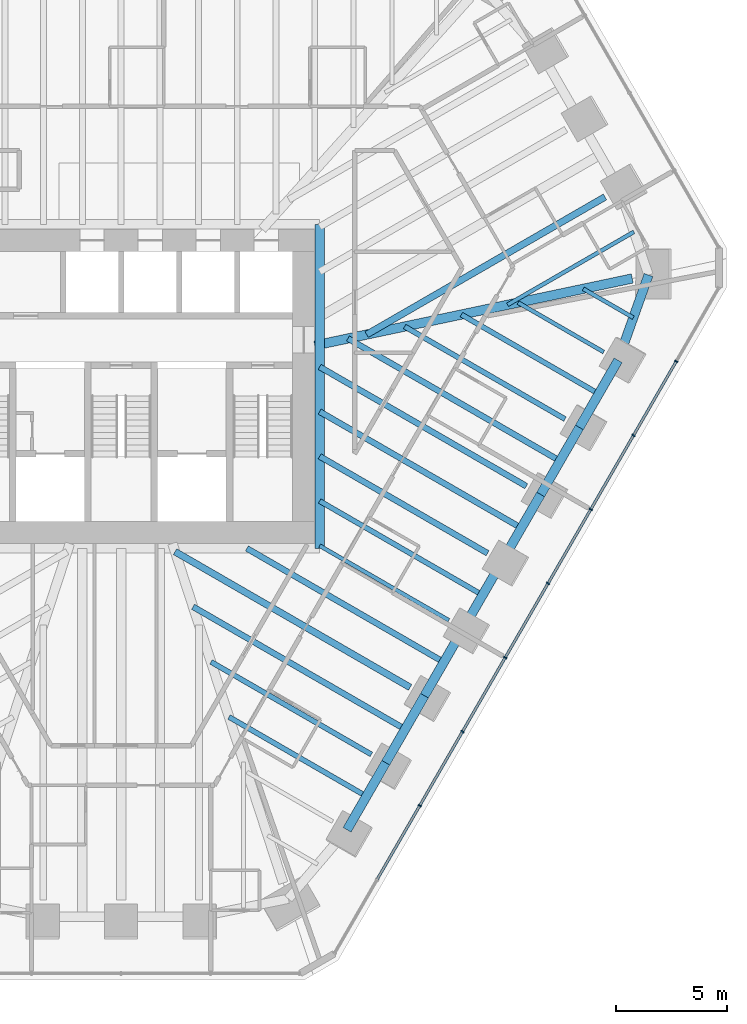
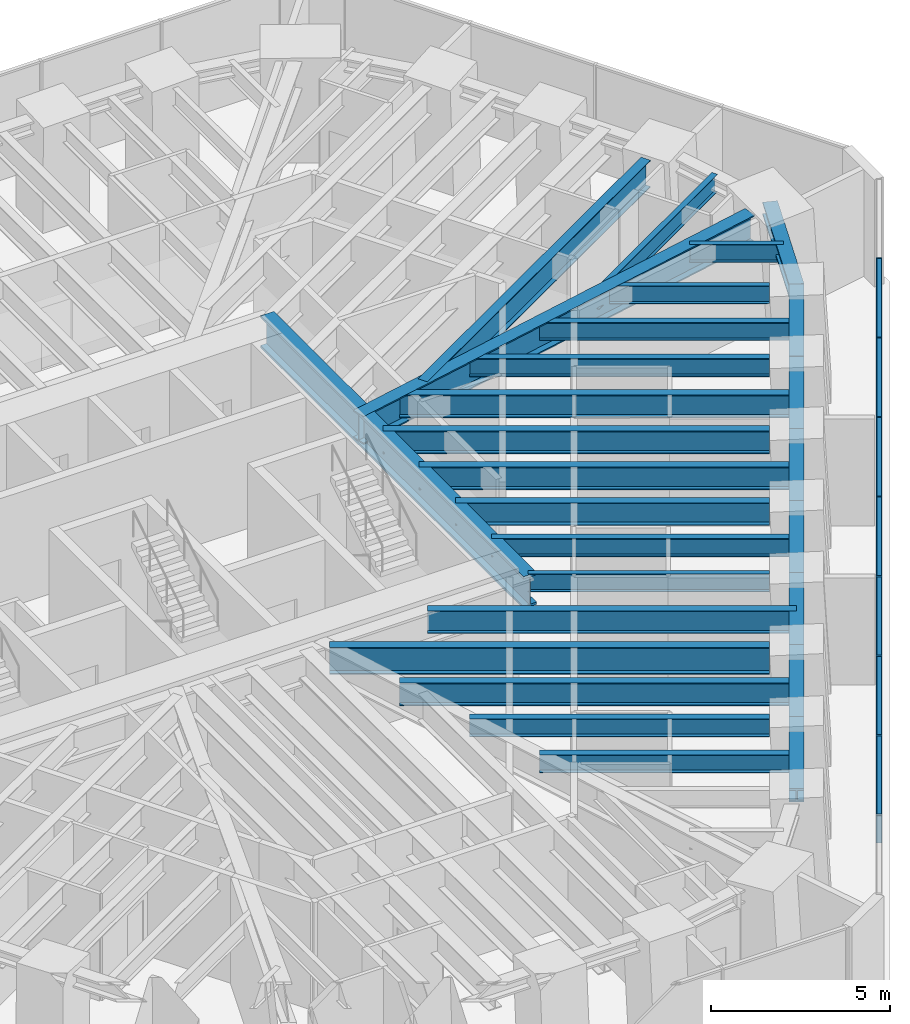
# One storey, part 5 of 16: 27 beams, 14 members, 1 element without a shape of its own.
"""IFC4 building model written with IfcOpenShell, lengths in metres."""

from ifc_helpers import new_model, si_unit, direction, frame, origin, origin_2d, place, context, subcontext, project, spatial, rectangle, i_section, extrude, material, material_profile, profile_set, type_object, element, aggregate, save


model = new_model("IFC4")

# Units and contexts
model_context = context("Model", 3, precision=1e-05, world=origin(), true_north=direction((0.0, 1.0)))
body_context = subcontext(model_context, "Body", "Model", "MODEL_VIEW")
ifc_project = project(units=[si_unit("LENGTHUNIT", "METRE"), si_unit("AREAUNIT", "SQUARE_METRE"), si_unit("VOLUMEUNIT", "CUBIC_METRE"), si_unit("PLANEANGLEUNIT", "RADIAN"), si_unit("MASSUNIT", "GRAM", prefix="KILO")], contexts=[model_context])

# Site, building, storey
site_placement = place(None, origin())
site = spatial("IfcSite", under=ifc_project, at=site_placement, CompositionType="ELEMENT")
building_placement = place(site_placement, origin())
building = spatial("IfcBuilding", under=site, at=building_placement, Name="Sandreach Pilgrim Tower", CompositionType="ELEMENT")
storey_placement = place(building_placement, frame((0.0, 0.0, 247.800048828125)))
storey = spatial("IfcBuildingStorey", under=building, at=storey_placement, Name="L62", CompositionType="ELEMENT", Elevation=247.800048828125)

# Beams
ifc_material_1 = material(Name="Steel ASTM A913 Grade 65", Category="steel")
ifc_material_profile_1 = material_profile(ifc_material_1, i_section(OverallWidth=0.419189453125, OverallDepth=0.45458984375, WebThickness=0.042236328125, FlangeThickness=0.067626953125, at=origin_2d()), Name="W14X370")
ifc_profile_set_1 = profile_set([ifc_material_profile_1], Name="Steel ASTM A913 Grade 65")
beam_type_1 = type_object("IfcBeamType", Name="Belt truss chord W14X370", PredefinedType="BEAM", material=ifc_profile_set_1)
beam_1_placement = place(storey_placement, frame((23.832275390625, 5.03173828125, 3.41259765625), z_axis=(-0.335584069729, -0.942010261167, 0.0), x_axis=(0.942010261167, -0.335584069729, 0.0)))
element("IfcBeam", 1, at=beam_1_placement, inside=storey, type_object=beam_type_1, Name="BM L62 BTB13", PredefinedType="BEAM", context=body_context, shape_type="SweptSolid", body=[
    extrude(i_section(OverallWidth=0.419189453125, OverallDepth=0.45458984375, WebThickness=0.042236328125, FlangeThickness=0.067626953125, at=origin_2d()), origin(), (0.0, 0.0, 1.0), 4.091552734375),
])
beam_2_placement = place(storey_placement, frame((22.459228515625, 1.177490234375, 3.41259765625), z_axis=(-0.499957956484, -0.866049676259, 0.0), x_axis=(0.866049676259, -0.499957956484, 0.0)))
element("IfcBeam", 2, at=beam_2_placement, inside=storey, type_object=beam_type_1, Name="BM L62 BTB14", PredefinedType="BEAM", context=body_context, shape_type="SweptSolid", body=[
    extrude(i_section(OverallWidth=0.419189453125, OverallDepth=0.45458984375, WebThickness=0.042236328125, FlangeThickness=0.067626953125, at=origin_2d()), origin(), (0.0, 0.0, 1.0), 3.499755859375),
])
beam_3_placement = place(storey_placement, frame((20.70947265625, -1.853515625, 3.41259765625), z_axis=(-0.500010275428, -0.866019471182, 0.0), x_axis=(0.866019471182, -0.500010275428, 0.0)))
element("IfcBeam", 3, at=beam_3_placement, inside=storey, type_object=beam_type_1, Name="BM L62 BTB15", PredefinedType="BEAM", context=body_context, shape_type="SweptSolid", body=[
    extrude(i_section(OverallWidth=0.419189453125, OverallDepth=0.45458984375, WebThickness=0.042236328125, FlangeThickness=0.067626953125, at=origin_2d()), origin(), (0.0, 0.0, 1.0), 3.5),
])
for number, where, z_axis, x_axis, name in (
    (4, (18.95947265625, -4.884521484375, 3.41259765625), (-0.500040482552, -0.866002029911, 0.0), (0.866002029911, -0.500040482552, 0.0), "BM L62 BTB16"),
    (5, (17.20947265625, -7.915283203125, 3.41259765625), (-0.499957956484, -0.866049676259, 0.0), (0.866049676259, -0.499957956484, 0.0), "BM L62 BTB17"),
    (6, (15.459716796875, -10.9462890625, 3.41259765625), (-0.500040482552, -0.866002029911, 0.0), (0.866002029911, -0.500040482552, 0.0), "BM L62 BTB18"),
    (7, (13.709716796875, -13.97705078125, 3.41259765625), (-0.499957956484, -0.866049676259, 0.0), (0.866049676259, -0.499957956484, 0.0), "BM L62 BTB19"),
):
    element("IfcBeam", number, at=place(storey_placement, frame(where, z_axis=z_axis, x_axis=x_axis)), inside=storey, type_object=beam_type_1, Name=name, PredefinedType="BEAM", context=body_context, shape_type="SweptSolid", body=[
        extrude(i_section(OverallWidth=0.419189453125, OverallDepth=0.45458984375, WebThickness=0.042236328125, FlangeThickness=0.067626953125, at=origin_2d()), origin(), (0.0, 0.0, 1.0), 3.499755859375),
    ])
beam_4_placement = place(storey_placement, frame((11.9599609375, -17.008056640625, 3.41259765625), z_axis=(-0.500010275428, -0.866019471182, 0.0), x_axis=(0.866019471182, -0.500010275428, 0.0)))
element("IfcBeam", 8, at=beam_4_placement, inside=storey, type_object=beam_type_1, Name="BM L62 BTB20", PredefinedType="BEAM", context=body_context, shape_type="SweptSolid", body=[
    extrude(i_section(OverallWidth=0.419189453125, OverallDepth=0.45458984375, WebThickness=0.042236328125, FlangeThickness=0.067626953125, at=origin_2d()), origin(), (0.0, 0.0, 1.0), 3.5),
])

# Curtain wall, members
ifc_material_2 = material(Name="Aluminium framed curtain wall", Category="aluminium")
curtain_wall_type = type_object("IfcCurtainWallType", Name="Upper hotel tower curtain wall", PredefinedType="NOTDEFINED", material=ifc_material_2)
curtain_wall_placement = place(storey_placement, origin())
curtain_wall = element("IfcCurtainWall", 9, at=curtain_wall_placement, inside=storey, type_object=curtain_wall_type, Name="CW-3 L62 SE", PredefinedType="NOTDEFINED")
ifc_material_3 = material(Name="Aluminium extrusion", Category="aluminium")
ifc_material_profile_2 = material_profile(ifc_material_3, rectangle(XDim=0.06494140625, YDim=0.159912109375, at=origin_2d()), Name="CW-3M 65X160")
ifc_profile_set_2 = profile_set([ifc_material_profile_2], Name="Aluminium extrusion")
member_type_1 = type_object("IfcMemberType", Name="CW-3 mullion", PredefinedType="MULLION", material=ifc_profile_set_2)
member_1_placement = place(storey_placement, frame((25.087890625, 1.13330078125, 0.0), z_axis=(0.0, 0.0, 1.0), x_axis=(-0.5, -0.866025403784, 0.0)))
member_1 = element("IfcMember", 10, at=member_1_placement, type_object=member_type_1, Name="CW-3 mullion 2", PredefinedType="MULLION", context=body_context, shape_type="SweptSolid", body=[
    extrude(rectangle(XDim=0.06494140625, YDim=0.159912109375, at=origin_2d()), origin(), (0.0, 0.0, 1.0), 3.639892578125),
])
member_2_placement = place(storey_placement, frame((23.15576171875, -2.21337890625, 0.0), z_axis=(0.0, 0.0, 1.0), x_axis=(-0.5, -0.866025403784, 0.0)))
member_2 = element("IfcMember", 11, at=member_2_placement, type_object=member_type_1, Name="CW-3 mullion 3", PredefinedType="MULLION", context=body_context, shape_type="SweptSolid", body=[
    extrude(rectangle(XDim=0.06494140625, YDim=0.159912109375, at=origin_2d()), origin(), (0.0, 0.0, 1.0), 3.639892578125),
])
member_3_placement = place(storey_placement, frame((21.223388671875, -5.56005859375, 0.0), z_axis=(0.0, 0.0, 1.0), x_axis=(-0.5, -0.866025403784, 0.0)))
member_3 = element("IfcMember", 12, at=member_3_placement, type_object=member_type_1, Name="CW-3 mullion 4", PredefinedType="MULLION", context=body_context, shape_type="SweptSolid", body=[
    extrude(rectangle(XDim=0.06494140625, YDim=0.159912109375, at=origin_2d()), origin(), (0.0, 0.0, 1.0), 3.639892578125),
])
member_4_placement = place(storey_placement, frame((19.291259765625, -8.90673828125, 0.0), z_axis=(0.0, 0.0, 1.0), x_axis=(-0.5, -0.866025403784, 0.0)))
member_4 = element("IfcMember", 13, at=member_4_placement, type_object=member_type_1, Name="CW-3 mullion 5", PredefinedType="MULLION", context=body_context, shape_type="SweptSolid", body=[
    extrude(rectangle(XDim=0.06494140625, YDim=0.159912109375, at=origin_2d()), origin(), (0.0, 0.0, 1.0), 3.639892578125),
])
member_5_placement = place(storey_placement, frame((17.359130859375, -12.25341796875, 0.0), z_axis=(0.0, 0.0, 1.0), x_axis=(-0.5, -0.866025403784, 0.0)))
member_5 = element("IfcMember", 14, at=member_5_placement, type_object=member_type_1, Name="CW-3 mullion 6", PredefinedType="MULLION", context=body_context, shape_type="SweptSolid", body=[
    extrude(rectangle(XDim=0.06494140625, YDim=0.159912109375, at=origin_2d()), origin(), (0.0, 0.0, 1.0), 3.639892578125),
])
member_6_placement = place(storey_placement, frame((15.4267578125, -15.60009765625, 0.0), z_axis=(0.0, 0.0, 1.0), x_axis=(-0.5, -0.866025403784, 0.0)))
member_6 = element("IfcMember", 15, at=member_6_placement, type_object=member_type_1, Name="CW-3 mullion 7", PredefinedType="MULLION", context=body_context, shape_type="SweptSolid", body=[
    extrude(rectangle(XDim=0.06494140625, YDim=0.159912109375, at=origin_2d()), origin(), (0.0, 0.0, 1.0), 3.639892578125),
])
member_7_placement = place(storey_placement, frame((13.49462890625, -18.94677734375, 0.0), z_axis=(0.0, 0.0, 1.0), x_axis=(-0.5, -0.866025403784, 0.0)))
member_7 = element("IfcMember", 16, at=member_7_placement, type_object=member_type_1, Name="CW-3 mullion 8", PredefinedType="MULLION", context=body_context, shape_type="SweptSolid", body=[
    extrude(rectangle(XDim=0.06494140625, YDim=0.159912109375, at=origin_2d()), origin(), (0.0, 0.0, 1.0), 3.639892578125),
])
ifc_material_4 = material(Name="Aluminium extrusion", Category="aluminium")
ifc_material_profile_3 = material_profile(ifc_material_4, rectangle(XDim=0.1201171875, YDim=0.070068359375, at=origin_2d()), Name="CW-3T 120X70")
ifc_profile_set_3 = profile_set([ifc_material_profile_3], Name="Aluminium extrusion")
member_type_2 = type_object("IfcMemberType", Name="CW-3 transom", PredefinedType="USERDEFINED", material=ifc_profile_set_3)
member_8_placement = place(storey_placement, frame((25.07177734375, 1.105224609375, 3.60498046875), z_axis=(-0.500022797313, -0.86601224135, 0.0), x_axis=(0.86601224135, -0.500022797313, 0.0)))
member_8 = element("IfcMember", 17, at=member_8_placement, type_object=member_type_2, Name="CW-3 head transom 2", ObjectType="TRANSOM", PredefinedType="USERDEFINED", context=body_context, shape_type="SweptSolid", body=[
    extrude(rectangle(XDim=0.1201171875, YDim=0.070068359375, at=origin_2d()), origin(), (0.0, 0.0, 1.0), 3.799560546875),
])
member_9_placement = place(storey_placement, frame((23.139404296875, -2.241455078125, 3.60498046875), z_axis=(-0.499974606132, -0.866040064445, 0.0), x_axis=(0.866040064445, -0.499974606132, 0.0)))
member_9 = element("IfcMember", 18, at=member_9_placement, type_object=member_type_2, Name="CW-3 head transom 3", ObjectType="TRANSOM", PredefinedType="USERDEFINED", context=body_context, shape_type="SweptSolid", body=[
    extrude(rectangle(XDim=0.1201171875, YDim=0.070068359375, at=origin_2d()), origin(), (0.0, 0.0, 1.0), 3.799560546875),
])
member_10_placement = place(storey_placement, frame((21.207275390625, -5.588134765625, 3.60498046875), z_axis=(-0.499974606132, -0.866040064445, 0.0), x_axis=(0.866040064445, -0.499974606132, 0.0)))
member_10 = element("IfcMember", 19, at=member_10_placement, type_object=member_type_2, Name="CW-3 head transom 4", ObjectType="TRANSOM", PredefinedType="USERDEFINED", context=body_context, shape_type="SweptSolid", body=[
    extrude(rectangle(XDim=0.1201171875, YDim=0.070068359375, at=origin_2d()), origin(), (0.0, 0.0, 1.0), 3.799560546875),
])
member_11_placement = place(storey_placement, frame((19.275146484375, -8.934814453125, 3.60498046875), z_axis=(-0.500022797313, -0.86601224135, 0.0), x_axis=(0.86601224135, -0.500022797313, 0.0)))
member_11 = element("IfcMember", 20, at=member_11_placement, type_object=member_type_2, Name="CW-3 head transom 5", ObjectType="TRANSOM", PredefinedType="USERDEFINED", context=body_context, shape_type="SweptSolid", body=[
    extrude(rectangle(XDim=0.1201171875, YDim=0.070068359375, at=origin_2d()), origin(), (0.0, 0.0, 1.0), 3.799560546875),
])
member_12_placement = place(storey_placement, frame((17.3427734375, -12.281494140625, 3.60498046875), z_axis=(-0.499974606132, -0.866040064445, 0.0), x_axis=(0.866040064445, -0.499974606132, 0.0)))
member_12 = element("IfcMember", 21, at=member_12_placement, type_object=member_type_2, Name="CW-3 head transom 6", ObjectType="TRANSOM", PredefinedType="USERDEFINED", context=body_context, shape_type="SweptSolid", body=[
    extrude(rectangle(XDim=0.1201171875, YDim=0.070068359375, at=origin_2d()), origin(), (0.0, 0.0, 1.0), 3.799560546875),
])
member_13_placement = place(storey_placement, frame((15.41064453125, -15.628173828125, 3.60498046875), z_axis=(-0.499974606132, -0.866040064445, 0.0), x_axis=(0.866040064445, -0.499974606132, 0.0)))
member_13 = element("IfcMember", 22, at=member_13_placement, type_object=member_type_2, Name="CW-3 head transom 7", ObjectType="TRANSOM", PredefinedType="USERDEFINED", context=body_context, shape_type="SweptSolid", body=[
    extrude(rectangle(XDim=0.1201171875, YDim=0.070068359375, at=origin_2d()), origin(), (0.0, 0.0, 1.0), 3.799560546875),
])
member_14_placement = place(storey_placement, frame((13.478515625, -18.974853515625, 3.60498046875), z_axis=(-0.500022797313, -0.86601224135, 0.0), x_axis=(0.86601224135, -0.500022797313, 0.0)))
member_14 = element("IfcMember", 23, at=member_14_placement, type_object=member_type_2, Name="CW-3 head transom 8", ObjectType="TRANSOM", PredefinedType="USERDEFINED", context=body_context, shape_type="SweptSolid", body=[
    extrude(rectangle(XDim=0.1201171875, YDim=0.070068359375, at=origin_2d()), origin(), (0.0, 0.0, 1.0), 3.799560546875),
])
aggregate(curtain_wall, [member_1, member_2, member_3, member_4, member_5, member_6, member_7, member_8, member_9, member_10, member_11, member_12, member_13, member_14])

# Beams
ifc_material_5 = material(Name="Steel ASTM A992 Grade 50", Category="steel")
ifc_material_profile_4 = material_profile(ifc_material_5, i_section(OverallWidth=0.424072265625, OverallDepth=1.09228515625, WebThickness=0.04541015625, FlangeThickness=0.08203125, at=origin_2d()), Name="W40X593")
ifc_profile_set_4 = profile_set([ifc_material_profile_4], Name="Steel ASTM A992 Grade 50")
beam_type_2 = type_object("IfcBeamType", Name="Core edge beam W40X593", PredefinedType="BEAM", material=ifc_profile_set_4)
beam_5_placement = place(storey_placement, frame((8.97216796875, 7.322021484375, 3.09375), z_axis=(0.0, -1.0, 0.0), x_axis=(1.0, 0.0, 0.0)))
element("IfcBeam", 24, at=beam_5_placement, inside=storey, type_object=beam_type_2, Name="BM L62 CEE", PredefinedType="BEAM", context=body_context, shape_type="SweptSolid", body=[
    extrude(i_section(OverallWidth=0.424072265625, OverallDepth=1.09228515625, WebThickness=0.04541015625, FlangeThickness=0.08203125, at=origin_2d()), origin(), (0.0, 0.0, 1.0), 14.64404296875),
])
ifc_material_6 = material(Name="Steel ASTM A992 Grade 50", Category="steel")
ifc_material_profile_5 = material_profile(ifc_material_6, i_section(OverallWidth=0.424072265625, OverallDepth=0.947509765625, WebThickness=0.02392578125, FlangeThickness=0.042724609375, at=origin_2d()), Name="W36X302")
ifc_profile_set_5 = profile_set([ifc_material_profile_5], Name="Steel ASTM A992 Grade 50")
beam_type_3 = type_object("IfcBeamType", Name="Corner girder W36X302", PredefinedType="BEAM", material=ifc_profile_set_5)
beam_6_placement = place(storey_placement, frame((23.098388671875, 4.876708984375, 3.166259765625), z_axis=(-0.978431629776, -0.206570922092, 0.0), x_axis=(0.206570922092, -0.978431629776, 0.0)))
element("IfcBeam", 25, at=beam_6_placement, inside=storey, type_object=beam_type_3, Name="BM L62 CG13", PredefinedType="BEAM", context=body_context, shape_type="SweptSolid", body=[
    extrude(i_section(OverallWidth=0.424072265625, OverallDepth=0.947509765625, WebThickness=0.02392578125, FlangeThickness=0.042724609375, at=origin_2d()), origin(), (0.0, 0.0, 1.0), 14.664794921875),
])
ifc_material_7 = material(Name="Steel ASTM A992 Grade 50", Category="steel")
ifc_material_profile_6 = material_profile(ifc_material_7, i_section(OverallWidth=0.1787109375, OverallDepth=0.60205078125, WebThickness=0.010986328125, FlangeThickness=0.014892578125, at=origin_2d()), Name="W24X62")
ifc_profile_set_6 = profile_set([ifc_material_profile_6], Name="Steel ASTM A992 Grade 50")
beam_type_4 = type_object("IfcBeamType", Name="Floor beam W24X62", PredefinedType="BEAM", material=ifc_profile_set_6)
beam_7_placement = place(storey_placement, frame((21.809814453125, 1.552490234375, 3.3388671875), z_axis=(-0.866050074364, 0.499957266868, 0.0), x_axis=(-0.499957266868, -0.866050074364, 0.0)))
element("IfcBeam", 26, at=beam_7_placement, inside=storey, type_object=beam_type_4, Name="BM L62 F14", PredefinedType="BEAM", context=body_context, shape_type="SweptSolid", body=[
    extrude(i_section(OverallWidth=0.1787109375, OverallDepth=0.60205078125, WebThickness=0.010986328125, FlangeThickness=0.014892578125, at=origin_2d()), origin(), (0.0, 0.0, 1.0), 4.47021484375),
])
beam_8_placement = place(storey_placement, frame((14.81005859375, -10.5712890625, 3.3388671875), z_axis=(-0.866019125066, 0.500010874902, 0.0), x_axis=(-0.500010874902, -0.866019125066, 0.0)))
element("IfcBeam", 27, at=beam_8_placement, inside=storey, type_object=beam_type_4, Name="BM L62 F18", PredefinedType="BEAM", context=body_context, shape_type="SweptSolid", body=[
    extrude(i_section(OverallWidth=0.1787109375, OverallDepth=0.60205078125, WebThickness=0.010986328125, FlangeThickness=0.014892578125, at=origin_2d()), origin(), (0.0, 0.0, 1.0), 6.740966796875),
])
beam_9_placement = place(storey_placement, frame((23.174072265625, 6.983642578125, 3.3388671875), z_axis=(-0.866021534058, -0.500006702503, 0.0), x_axis=(0.500006702503, -0.866021534058, 0.0)))
element("IfcBeam", 28, at=beam_9_placement, inside=storey, type_object=beam_type_4, Name="BM L62 FM12", PredefinedType="BEAM", context=body_context, shape_type="SweptSolid", body=[
    extrude(i_section(OverallWidth=0.1787109375, OverallDepth=0.60205078125, WebThickness=0.010986328125, FlangeThickness=0.014892578125, at=origin_2d()), origin(), (0.0, 0.0, 1.0), 6.59228515625),
])
beam_10_placement = place(storey_placement, frame((23.145751953125, 3.1044921875, 3.3388671875), z_axis=(-0.866012692104, 0.500022016631, 0.0), x_axis=(-0.500022016631, -0.866012692104, 0.0)))
element("IfcBeam", 29, at=beam_10_placement, inside=storey, type_object=beam_type_4, Name="BM L62 FM13", PredefinedType="BEAM", context=body_context, shape_type="SweptSolid", body=[
    extrude(i_section(OverallWidth=0.1787109375, OverallDepth=0.60205078125, WebThickness=0.010986328125, FlangeThickness=0.014892578125, at=origin_2d()), origin(), (0.0, 0.0, 1.0), 2.6103515625),
])
ifc_material_8 = material(Name="Steel ASTM A992 Grade 50", Category="steel")
ifc_material_profile_7 = material_profile(ifc_material_8, i_section(OverallWidth=0.23046875, OverallDepth=0.6171875, WebThickness=0.01318359375, FlangeThickness=0.022216796875, at=origin_2d()), Name="W24X94")
ifc_profile_set_7 = profile_set([ifc_material_profile_7], Name="Steel ASTM A992 Grade 50")
beam_type_5 = type_object("IfcBeamType", Name="Floor beam W24X94", PredefinedType="BEAM", material=ifc_profile_set_7)
for number, where, z_axis, x_axis, name in (
    (30, (20.059814453125, -1.478515625, 3.331298828125), (-0.866024275449, 0.500001954328, 0.0), (-0.500001954328, -0.866024275449, 0.0), "BM L62 F15"),
    (31, (11.310302734375, -16.633056640625, 3.331298828125), (-0.866024275449, 0.500001954328, 0.0), (-0.500001954328, -0.866024275449, 0.0), "BM L62 F20"),
):
    element("IfcBeam", number, at=place(storey_placement, frame(where, z_axis=z_axis, x_axis=x_axis)), inside=storey, type_object=beam_type_5, Name=name, PredefinedType="BEAM", context=body_context, shape_type="SweptSolid", body=[
        extrude(i_section(OverallWidth=0.23046875, OverallDepth=0.6171875, WebThickness=0.01318359375, FlangeThickness=0.022216796875, at=origin_2d()), origin(), (0.0, 0.0, 1.0), 8.36767578125),
    ])
beam_11_placement = place(storey_placement, frame((21.584228515625, -0.338134765625, 3.331298828125), z_axis=(-0.866017145387, 0.500014303691, 0.0), x_axis=(-0.500014303691, -0.866017145387, 0.0)))
element("IfcBeam", 32, at=beam_11_placement, inside=storey, type_object=beam_type_5, Name="BM L62 FM14", PredefinedType="BEAM", context=body_context, shape_type="SweptSolid", body=[
    extrude(i_section(OverallWidth=0.23046875, OverallDepth=0.6171875, WebThickness=0.01318359375, FlangeThickness=0.022216796875, at=origin_2d()), origin(), (0.0, 0.0, 1.0), 7.168701171875),
])
beam_12_placement = place(storey_placement, frame((16.334716796875, -9.430908203125, 3.331298828125), z_axis=(-0.86601485975, 0.500018262359, 0.0), x_axis=(-0.500018262359, -0.86601485975, 0.0)))
element("IfcBeam", 33, at=beam_12_placement, inside=storey, type_object=beam_type_5, Name="BM L62 FM17", PredefinedType="BEAM", context=body_context, shape_type="SweptSolid", body=[
    extrude(i_section(OverallWidth=0.23046875, OverallDepth=0.6171875, WebThickness=0.01318359375, FlangeThickness=0.022216796875, at=origin_2d()), origin(), (0.0, 0.0, 1.0), 8.501708984375),
])
beam_13_placement = place(storey_placement, frame((11.0849609375, -18.5234375, 3.331298828125), z_axis=(-0.8660404058, 0.499974014847, 0.0), x_axis=(-0.499974014847, -0.8660404058, 0.0)))
element("IfcBeam", 34, at=beam_13_placement, inside=storey, type_object=beam_type_5, Name="BM L62 FM20", PredefinedType="BEAM", context=body_context, shape_type="SweptSolid", body=[
    extrude(i_section(OverallWidth=0.23046875, OverallDepth=0.6171875, WebThickness=0.01318359375, FlangeThickness=0.022216796875, at=origin_2d()), origin(), (0.0, 0.0, 1.0), 7.1689453125),
])
ifc_material_9 = material(Name="Steel ASTM A992 Grade 50", Category="steel")
ifc_material_profile_8 = material_profile(ifc_material_9, i_section(OverallWidth=0.2666015625, OverallDepth=0.761962890625, WebThickness=0.014404296875, FlangeThickness=0.021484375, at=origin_2d()), Name="W30X116")
ifc_profile_set_8 = profile_set([ifc_material_profile_8], Name="Steel ASTM A992 Grade 50")
beam_type_6 = type_object("IfcBeamType", Name="Floor beam W30X116", PredefinedType="BEAM", material=ifc_profile_set_8)
beam_14_placement = place(storey_placement, frame((16.56005859375, -7.540283203125, 3.259033203125), z_axis=(-0.866025963225, 0.49999903102, 0.0), x_axis=(-0.49999903102, -0.866025963225, 0.0)))
element("IfcBeam", 35, at=beam_14_placement, inside=storey, type_object=beam_type_6, Name="BM L62 F17", PredefinedType="BEAM", context=body_context, shape_type="SweptSolid", body=[
    extrude(i_section(OverallWidth=0.2666015625, OverallDepth=0.761962890625, WebThickness=0.014404296875, FlangeThickness=0.021484375, at=origin_2d()), origin(), (0.0, 0.0, 1.0), 8.76171875),
])
beam_15_placement = place(storey_placement, frame((14.584716796875, -12.461669921875, 3.259033203125), z_axis=(-0.866024610502, 0.500001374003, 0.0), x_axis=(-0.500001374003, -0.866024610502, 0.0)))
element("IfcBeam", 36, at=beam_15_placement, inside=storey, type_object=beam_type_6, Name="BM L62 FM18", PredefinedType="BEAM", context=body_context, shape_type="SweptSolid", body=[
    extrude(i_section(OverallWidth=0.2666015625, OverallDepth=0.761962890625, WebThickness=0.014404296875, FlangeThickness=0.021484375, at=origin_2d()), origin(), (0.0, 0.0, 1.0), 10.279296875),
])
ifc_material_10 = material(Name="Steel ASTM A992 Grade 50", Category="steel")
ifc_material_profile_9 = material_profile(ifc_material_10, i_section(OverallWidth=0.2666015625, OverallDepth=0.77978515625, WebThickness=0.0166015625, FlangeThickness=0.030029296875, at=origin_2d()), Name="W30X148")
ifc_profile_set_9 = profile_set([ifc_material_profile_9], Name="Steel ASTM A992 Grade 50")
beam_type_7 = type_object("IfcBeamType", Name="Floor beam W30X148", PredefinedType="BEAM", material=ifc_profile_set_9)
beam_16_placement = place(storey_placement, frame((18.31005859375, -4.509521484375, 3.25), z_axis=(-0.866020433863, 0.500008608058, 0.0), x_axis=(-0.500008608058, -0.866020433863, 0.0)))
element("IfcBeam", 37, at=beam_16_placement, inside=storey, type_object=beam_type_7, Name="BM L62 F16", PredefinedType="BEAM", context=body_context, shape_type="SweptSolid", body=[
    extrude(i_section(OverallWidth=0.2666015625, OverallDepth=0.77978515625, WebThickness=0.0166015625, FlangeThickness=0.030029296875, at=origin_2d()), origin(), (0.0, 0.0, 1.0), 10.782470703125),
])
beam_17_placement = place(storey_placement, frame((19.83447265625, -3.368896484375, 3.25), z_axis=(-0.86602981871, 0.499992353047, 0.0), x_axis=(-0.499992353047, -0.86602981871, 0.0)))
element("IfcBeam", 38, at=beam_17_placement, inside=storey, type_object=beam_type_7, Name="BM L62 FM15", PredefinedType="BEAM", context=body_context, shape_type="SweptSolid", body=[
    extrude(i_section(OverallWidth=0.2666015625, OverallDepth=0.77978515625, WebThickness=0.0166015625, FlangeThickness=0.030029296875, at=origin_2d()), origin(), (0.0, 0.0, 1.0), 11.066650390625),
])
beam_18_placement = place(storey_placement, frame((18.08447265625, -6.39990234375, 3.25), z_axis=(-0.866025619268, 0.499999626771, 0.0), x_axis=(-0.499999626771, -0.866025619268, 0.0)))
element("IfcBeam", 39, at=beam_18_placement, inside=storey, type_object=beam_type_7, Name="BM L62 FM16", PredefinedType="BEAM", context=body_context, shape_type="SweptSolid", body=[
    extrude(i_section(OverallWidth=0.2666015625, OverallDepth=0.77978515625, WebThickness=0.0166015625, FlangeThickness=0.030029296875, at=origin_2d()), origin(), (0.0, 0.0, 1.0), 10.52197265625),
])
beam_19_placement = place(storey_placement, frame((12.834716796875, -15.49267578125, 3.25), z_axis=(-0.86602430345, 0.500001905831, 0.0), x_axis=(-0.500001905831, -0.86602430345, 0.0)))
element("IfcBeam", 40, at=beam_19_placement, inside=storey, type_object=beam_type_7, Name="BM L62 FM19", PredefinedType="BEAM", context=body_context, shape_type="SweptSolid", body=[
    extrude(i_section(OverallWidth=0.2666015625, OverallDepth=0.77978515625, WebThickness=0.0166015625, FlangeThickness=0.030029296875, at=origin_2d()), origin(), (0.0, 0.0, 1.0), 11.06640625),
])
ifc_material_11 = material(Name="Steel ASTM A992 Grade 50", Category="steel")
ifc_material_profile_10 = material_profile(ifc_material_11, i_section(OverallWidth=0.3046875, OverallDepth=0.914306640625, WebThickness=0.0166015625, FlangeThickness=0.02587890625, at=origin_2d()), Name="W36X160")
ifc_profile_set_10 = profile_set([ifc_material_profile_10], Name="Steel ASTM A992 Grade 50")
beam_type_8 = type_object("IfcBeamType", Name="Floor beam W36X160", PredefinedType="BEAM", material=ifc_profile_set_10)
beam_20_placement = place(storey_placement, frame((21.866455078125, 8.560302734375, 3.182861328125), z_axis=(-0.866031913407, -0.499988724833, 0.0), x_axis=(0.499988724833, -0.866031913407, 0.0)))
element("IfcBeam", 41, at=beam_20_placement, inside=storey, type_object=beam_type_8, Name="BM L62 F12", PredefinedType="BEAM", context=body_context, shape_type="SweptSolid", body=[
    extrude(i_section(OverallWidth=0.3046875, OverallDepth=0.914306640625, WebThickness=0.0166015625, FlangeThickness=0.02587890625, at=origin_2d()), origin(), (0.0, 0.0, 1.0), 12.434326171875),
])
beam_21_placement = place(storey_placement, frame((13.060302734375, -13.60205078125, 3.182861328125), z_axis=(-0.866028467973, 0.499994692632, 0.0), x_axis=(-0.499994692632, -0.866028467973, 0.0)))
element("IfcBeam", 42, at=beam_21_placement, inside=storey, type_object=beam_type_8, Name="BM L62 F19", PredefinedType="BEAM", context=body_context, shape_type="SweptSolid", body=[
    extrude(i_section(OverallWidth=0.3046875, OverallDepth=0.914306640625, WebThickness=0.0166015625, FlangeThickness=0.02587890625, at=origin_2d()), origin(), (0.0, 0.0, 1.0), 12.265380859375),
])

save(model, "model.ifc")
